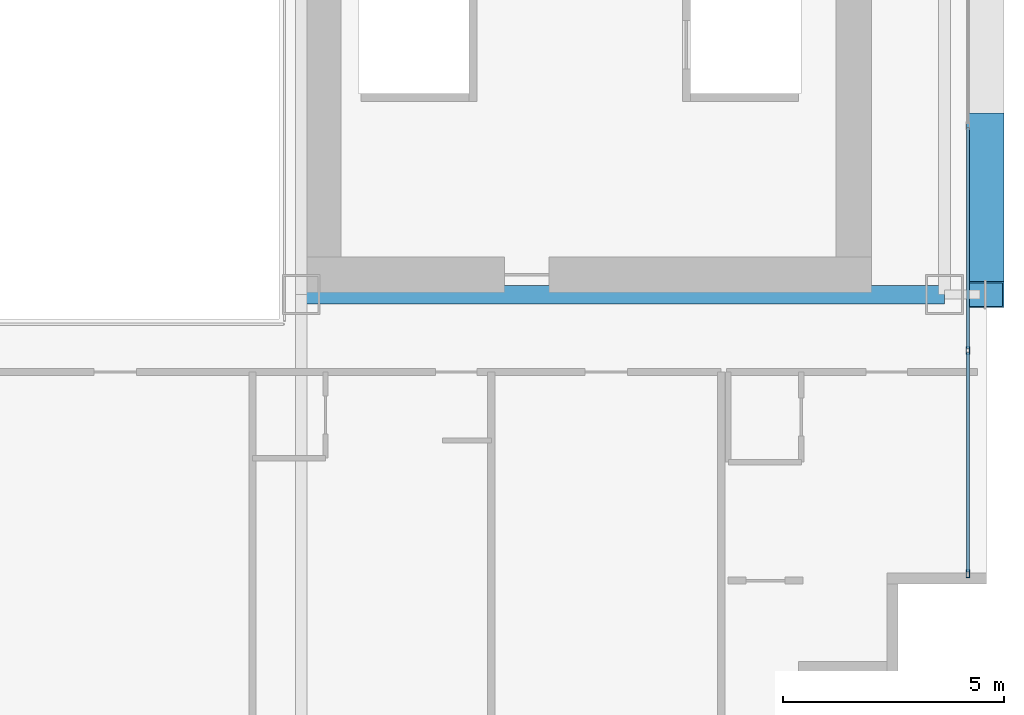
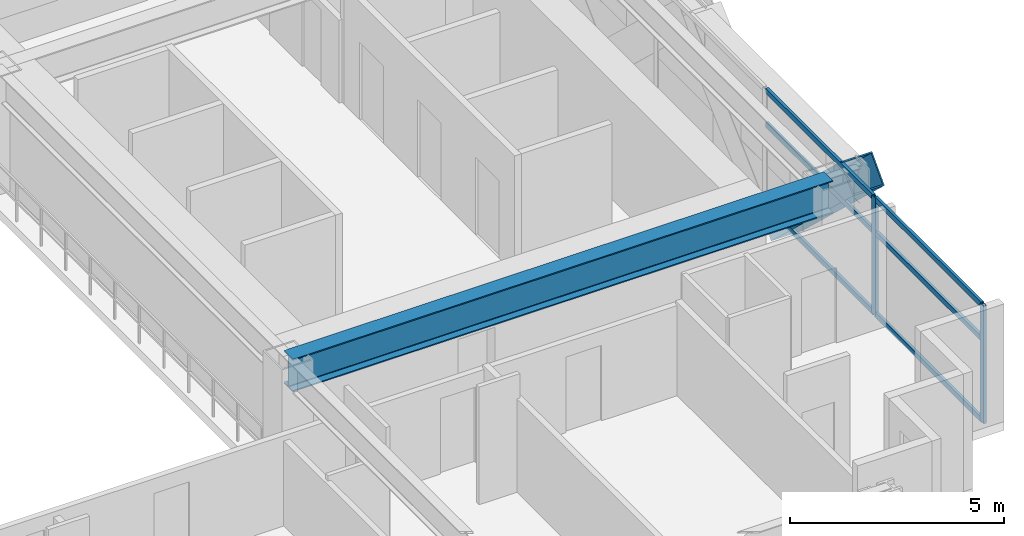
# One storey, part 11 of 38: 9 members, 1 beam, 1 element without a shape of its own.
"""IFC4 building model written with IfcOpenShell, lengths in metres."""

import ifcopenshell
import ifcopenshell.guid

model = None  # the IFC model being written
_history = None  # IfcOwnerHistory: only IFC2X3 demands one
_inside = {}  # id of a spatial element -> (the spatial element, [elements in it])
_under = {}  # id of a project, library or spatial element -> (it, [spatial elements below it])
_declared = {}  # id of a project -> (the project, [libraries it declares])
_typed = {}  # id of a type object -> (the type object, [elements of that type])
_made_of = {}  # id of a material, layer set ... -> (it, [elements and type objects made of it])


def new_model(schema):
    """Start an empty IFC model of exactly this schema.

    Asked for "IFC4X3", IfcOpenShell would pick the latest addendum, in which some entities
    have other attributes; the version numbers below select the first issue.
    IFC2X3 requires an IfcOwnerHistory on every rooted entity: one is made here for all.
    """
    global model, _history
    if schema == "IFC4X3":
        model = ifcopenshell.file(schema_version=(4, 3, 0, 0))
    else:
        model = ifcopenshell.file(schema=schema)
    _inside.clear()
    _under.clear()
    _declared.clear()
    _typed.clear()
    _made_of.clear()
    _history = None
    if model.schema == "IFC2X3":
        org = make("IfcOrganization", Name="unknown")
        user = make(
            "IfcPersonAndOrganization",
            ThePerson=make("IfcPerson", FamilyName="unknown"),
            TheOrganization=org,
        )
        app = make(
            "IfcApplication",
            ApplicationDeveloper=org,
            Version="unknown",
            ApplicationFullName="unknown",
            ApplicationIdentifier="unknown",
        )
        _history = make(
            "IfcOwnerHistory",
            OwningUser=user,
            OwningApplication=app,
            ChangeAction="ADDED",
            CreationDate=0,
        )
    return model


def make(cls, **values):
    """One entity of the class cls with the attributes given. An attribute that is None is left unset."""
    return model.create_entity(
        cls, **{name: value for name, value in values.items() if value is not None}
    )


def rooted(cls, **values):
    """An entity with a GlobalId (a new one), such as an element, a storey or a relation."""
    return make(cls, GlobalId=ifcopenshell.guid.new(), OwnerHistory=_history, **values)


def si_unit(unit_type, name, prefix=None):
    """IfcSIUnit, for example si_unit("LENGTHUNIT", "METRE", prefix="MILLI")."""
    return make("IfcSIUnit", UnitType=unit_type, Prefix=prefix, Name=name)


def assignment(units):
    """IfcUnitAssignment: the units of a project."""
    return None if units is None else make("IfcUnitAssignment", Units=units)


def point(xyz):
    """IfcCartesianPoint."""
    return None if xyz is None else make("IfcCartesianPoint", Coordinates=xyz)


def direction(xyz):
    """IfcDirection."""
    return None if xyz is None else make("IfcDirection", DirectionRatios=xyz)


def frame(location, z_axis=None, x_axis=None):
    """IfcAxis2Placement3D, a coordinate frame: its origin and axes. An axis left out is left unset."""
    return make(
        "IfcAxis2Placement3D",
        Location=point(location),
        Axis=direction(z_axis),
        RefDirection=direction(x_axis),
    )


def frame_2d(location, x_axis=None):
    """IfcAxis2Placement2D, a coordinate frame in the plane: its origin and x axis."""
    return make(
        "IfcAxis2Placement2D", Location=point(location), RefDirection=direction(x_axis)
    )


def origin():
    """The frame at (0, 0, 0) with its axes left unset."""
    return frame((0.0, 0.0, 0.0))


def origin_2d():
    """The frame at (0, 0) in the plane with its x axis left unset."""
    return frame_2d((0.0, 0.0))


def place(relative_to, where):
    """IfcLocalPlacement: puts the frame where relative to a parent placement (None: the world)."""
    return make(
        "IfcLocalPlacement", PlacementRelTo=relative_to, RelativePlacement=where
    )


def context(
    kind, dimensions, precision=None, world=None, true_north=None, identifier=None
):
    """IfcGeometricRepresentationContext, for example the 3D "Model" context."""
    return make(
        "IfcGeometricRepresentationContext",
        ContextIdentifier=identifier,
        ContextType=kind,
        CoordinateSpaceDimension=dimensions,
        Precision=precision,
        WorldCoordinateSystem=world,
        TrueNorth=true_north,
    )


def subcontext(parent, identifier, kind, view, scale=None):
    """IfcGeometricRepresentationSubContext, for example "Body" below "Model"."""
    return make(
        "IfcGeometricRepresentationSubContext",
        ContextIdentifier=identifier,
        ContextType=kind,
        ParentContext=parent,
        TargetScale=scale,
        TargetView=view,
    )


def project(units=None, contexts=None):
    """IfcProject with its units and contexts."""
    return rooted(
        "IfcProject",
        Name="project",
        RepresentationContexts=contexts,
        UnitsInContext=assignment(units),
    )


def spatial(cls, under=None, at=None, **own):
    """A site, building, storey or space (cls), placed at a placement, below another one or the project."""
    s = rooted(cls, ObjectPlacement=at, **own)
    if under is not None:
        _under.setdefault(under.id(), (under, []))[1].append(s)
    return s


def profile(cls, at=None, kind="AREA", **sizes):
    """A parametric profile (cls). Its sizes go by their IFC names, for example OverallWidth=200.0."""
    return make(cls, ProfileType=kind, Position=at, **sizes)


def hollow_rectangle(**sizes):
    """IfcRectangleHollowProfileDef."""
    return profile("IfcRectangleHollowProfileDef", **sizes)


def i_section(**sizes):
    """IfcIShapeProfileDef."""
    return profile("IfcIShapeProfileDef", **sizes)


def extrude(swept, where, along, depth):
    """IfcExtrudedAreaSolid: the profile swept, set in the frame where, extruded along a direction by depth."""
    return make(
        "IfcExtrudedAreaSolid",
        SweptArea=swept,
        Position=where,
        ExtrudedDirection=direction(along),
        Depth=depth,
    )


def shape(context_of_items, identifier, shape_type, items):
    """IfcShapeRepresentation: the items that make up one representation, for example the "Body"."""
    return make(
        "IfcShapeRepresentation",
        ContextOfItems=context_of_items,
        RepresentationIdentifier=identifier,
        RepresentationType=shape_type,
        Items=items,
    )


def source(mapping_origin, context_of_items, identifier, shape_type, items):
    """IfcRepresentationMap: a shape defined once, which mapped items show again and again."""
    return make(
        "IfcRepresentationMap",
        MappingOrigin=mapping_origin,
        MappedRepresentation=shape(context_of_items, identifier, shape_type, items),
    )


def transform(
    local_origin,
    x_axis=None,
    y_axis=None,
    z_axis=None,
    scale=None,
    scale2=None,
    scale3=None,
    uniform=True,
):
    """IfcCartesianTransformationOperator3D, or its non-uniform kind. x_axis, y_axis, z_axis: its Axis1, 2, 3."""
    if uniform:
        return make(
            "IfcCartesianTransformationOperator3D",
            Axis1=direction(x_axis),
            Axis2=direction(y_axis),
            LocalOrigin=point(local_origin),
            Scale=scale,
            Axis3=direction(z_axis),
        )
    return make(
        "IfcCartesianTransformationOperator3DnonUniform",
        Axis1=direction(x_axis),
        Axis2=direction(y_axis),
        LocalOrigin=point(local_origin),
        Scale=scale,
        Axis3=direction(z_axis),
        Scale2=scale2,
        Scale3=scale3,
    )


def mapped(mapping_source, mapping_target):
    """IfcMappedItem: shows the shape of a source again, moved by a transform."""
    return make(
        "IfcMappedItem", MappingSource=mapping_source, MappingTarget=mapping_target
    )


def material(Name=None, Category=None):
    """IfcMaterial."""
    return make("IfcMaterial", Name=Name, Category=Category)


def layer(
    of_material, thickness, ventilated=None, Name=None, Category=None, Priority=None
):
    """IfcMaterialLayer: one layer of a wall or slab, of a material (None: an air gap)."""
    return make(
        "IfcMaterialLayer",
        Material=of_material,
        LayerThickness=thickness,
        IsVentilated=ventilated,
        Name=Name,
        Category=Category,
        Priority=Priority,
    )


def layer_set(layers, Name=None):
    """IfcMaterialLayerSet."""
    return make("IfcMaterialLayerSet", MaterialLayers=layers, LayerSetName=Name)


def material_profile(
    of_material, cross_section, Name=None, Category=None, Priority=None
):
    """IfcMaterialProfile: a cross section and its material."""
    return make(
        "IfcMaterialProfile",
        Name=Name,
        Material=of_material,
        Profile=cross_section,
        Priority=Priority,
        Category=Category,
    )


def profile_set(profiles, Name=None, composite=None):
    """IfcMaterialProfileSet."""
    return make(
        "IfcMaterialProfileSet",
        Name=Name,
        MaterialProfiles=profiles,
        CompositeProfile=composite,
    )


def made_of(thing, what):
    """Note that an element or type object is made of a material, layer set ...; save() writes the relation."""
    if what is not None:
        _made_of.setdefault(what.id(), (what, []))[1].append(thing)
    return thing


def type_object(cls, material=None, **own):
    """A type object (cls), such as IfcWallType, which elements share."""
    return made_of(rooted(cls, **own), material)


def element(
    cls,
    number,
    at=None,
    inside=None,
    cuts=None,
    type_object=None,
    material=None,
    context=None,
    identifier="Body",
    shape_type=None,
    held_by="IfcProductDefinitionShape",
    body=None,
    shapes=None,
    **own,
):
    """One element of the class cls, such as IfcWall. Its Tag is "e" and its number.

    at: its placement. inside: the storey or other place that contains it. cuts: it is an
    opening in that element (IfcRelVoidsElement). A single representation is given by context,
    identifier, shape_type and body (its items); several are given by shapes. held_by: the class
    of the entity that holds the representations. save() writes the other relations.
    """
    e = rooted(cls, Tag="e%d" % number, ObjectPlacement=at, **own)
    if body is not None:
        shapes = [shape(context, identifier, shape_type, body)]
    if shapes is not None:
        e.Representation = make(held_by, Representations=shapes)
    if inside is not None:
        _inside.setdefault(inside.id(), (inside, []))[1].append(e)
    if cuts is not None:
        rooted(
            "IfcRelVoidsElement", RelatingBuildingElement=cuts, RelatedOpeningElement=e
        )
    if type_object is not None:
        _typed.setdefault(type_object.id(), (type_object, []))[1].append(e)
    return made_of(e, material)


def aggregate(whole, parts):
    """IfcRelAggregates: a whole, such as a stair, and the parts it consists of."""
    return rooted("IfcRelAggregates", RelatingObject=whole, RelatedObjects=parts)


def save(model, path):
    """Write the relations noted so far, then the file.

    IfcRelAggregates (storeys below a building ...), IfcRelContainedInSpatialStructure (elements
    in a storey), IfcRelDefinesByType, IfcRelAssociatesMaterial and IfcRelDeclares: one each for
    every whole, place, type object, material and project.
    """
    for whole, parts in _under.values():
        aggregate(whole, parts)
    for where, things in _inside.values():
        rooted(
            "IfcRelContainedInSpatialStructure",
            RelatedElements=things,
            RelatingStructure=where,
        )
    for kind, things in _typed.values():
        rooted("IfcRelDefinesByType", RelatedObjects=things, RelatingType=kind)
    for what, things in _made_of.values():
        rooted("IfcRelAssociatesMaterial", RelatedObjects=things, RelatingMaterial=what)
    for by, libraries in _declared.values():
        rooted("IfcRelDeclares", RelatingContext=by, RelatedDefinitions=libraries)
    model.write(path)


model = new_model("IFC4")

# Units and contexts
model_context = context("Model", 3, precision=1e-05, world=origin(), true_north=direction((0.0, 1.0)))
body_context = subcontext(model_context, "Body", "Model", "MODEL_VIEW")
ifc_project = project(units=[si_unit("LENGTHUNIT", "METRE"), si_unit("AREAUNIT", "SQUARE_METRE"), si_unit("VOLUMEUNIT", "CUBIC_METRE"), si_unit("PLANEANGLEUNIT", "RADIAN"), si_unit("MASSUNIT", "GRAM", prefix="KILO")], contexts=[model_context])

# Site, building, storey
site_placement = place(None, origin())
site = spatial("IfcSite", under=ifc_project, at=site_placement, CompositionType="ELEMENT")
building_placement = place(site_placement, origin())
building = spatial("IfcBuilding", under=site, at=building_placement, Name="Ocotamira Hotel", CompositionType="ELEMENT")
storey_placement = place(building_placement, frame((0.0, 0.0, 45.60009765625)))
storey = spatial("IfcBuildingStorey", under=building, at=storey_placement, Name="L10", CompositionType="ELEMENT", Elevation=45.60009765625)

# Beam
ifc_material_1 = material(Name="Steel ASTM A992 Grade 50", Category="steel")
ifc_material_profile_1 = material_profile(ifc_material_1, i_section(OverallWidth=0.41796875, OverallDepth=0.927001953125, WebThickness=0.019287109375, FlangeThickness=0.031982421875, FilletRadius=0.02392578125, at=origin_2d()), Name="W36X231")
ifc_profile_set_1 = profile_set([ifc_material_profile_1], Name="Steel ASTM A992 Grade 50")
beam_type = type_object("IfcBeamType", Name="BM-GIRD-W36X231", PredefinedType="BEAM", material=ifc_profile_set_1)
shared_shape_1 = source(origin(), body_context, "Body", "SweptSolid", [
    extrude(i_section(OverallWidth=0.41796875, OverallDepth=0.927001953125, WebThickness=0.019287109375, FlangeThickness=0.031982421875, FilletRadius=0.02392578125, at=origin_2d()), origin(), (0.0, 0.0, 1.0), 14.550048828125),
])
beam_placement = place(storey_placement, frame((40.5, 14.550048828125, 2.886474609375), z_axis=(1.0, 0.0, 0.0), x_axis=(0.0, 1.0, 0.0)))
element("IfcBeam", 1, at=beam_placement, inside=storey, type_object=beam_type, Name="L10 Girder Y14.55 X40.5-55.05", PredefinedType="BEAM", context=body_context, shape_type="MappedRepresentation", body=[
    mapped(shared_shape_1, transform((0.0, 0.0, 0.0), scale=1.0)),
])

# Member
ifc_material_2 = material(Name="Pale-metal coated steel ASTM A913 Grade 65", Category="steel")
ifc_material_profile_2 = material_profile(ifc_material_2, hollow_rectangle(XDim=0.85009765625, YDim=0.85009765625, WallThickness=0.035888671875, at=origin_2d()), Name="BOX850X850X36")
ifc_profile_set_2 = profile_set([ifc_material_profile_2], Name="Pale-metal coated steel ASTM A913 Grade 65")
member_type_1 = type_object("IfcMemberType", Name="MEM-EXO-BOX850", PredefinedType="BRACE", material=ifc_profile_set_2)
shared_shape_2 = source(origin(), body_context, "Body", "SweptSolid", [
    extrude(hollow_rectangle(XDim=0.85009765625, YDim=0.85009765625, WallThickness=0.035888671875, at=origin_2d()), origin(), (0.0, 0.0, 1.0), 5.24658203125),
])
member_1_placement = place(storey_placement, frame((55.969970703125, 18.36669921875, -0.5), z_axis=(0.0, -0.72746596067, 0.686143772154), x_axis=(1.0, 0.0, 0.0)))
element("IfcMember", 2, at=member_1_placement, inside=storey, type_object=member_type_1, Name="L10 Exoskeleton Diagrid E0.1", PredefinedType="BRACE", context=body_context, shape_type="MappedRepresentation", body=[
    mapped(shared_shape_2, transform((0.0, 0.0, 0.0), scale=1.0)),
])

# Curtain wall, members
ifc_material_3 = material(Name="Anodised pale-metal aluminium and solar glass", Category="aluminium")
ifc_layer = layer(ifc_material_3, 0.179931640625)
ifc_layer_set = layer_set([ifc_layer], Name="Anodised pale-metal aluminium and solar glass")
curtain_wall_type = type_object("IfcCurtainWallType", Name="CW-SYS2-Z1", PredefinedType="NOTDEFINED", material=ifc_layer_set)
curtain_wall_placement = place(storey_placement, origin())
curtain_wall = element("IfcCurtainWall", 3, at=curtain_wall_placement, inside=storey, type_object=curtain_wall_type, Name="L10 Curtain Wall CW-2 CW-L10-E", PredefinedType="NOTDEFINED")
ifc_material_4 = material(Name="Anodised pale-metal aluminium 6063-T6", Category="aluminium")
ifc_material_profile_3 = material_profile(ifc_material_4, hollow_rectangle(XDim=0.080078125, YDim=0.179931640625, WallThickness=0.006103515625, at=origin_2d()), Name="HSS180X80X6")
ifc_profile_set_3 = profile_set([ifc_material_profile_3], Name="Anodised pale-metal aluminium 6063-T6")
member_type_2 = type_object("IfcMemberType", Name="CWM-180X75", PredefinedType="MULLION", material=ifc_profile_set_3)
shared_shape_3 = source(origin(), body_context, "Body", "SweptSolid", [
    extrude(hollow_rectangle(XDim=0.080078125, YDim=0.179931640625, WallThickness=0.006103515625, at=origin_2d()), origin(), (0.0, 0.0, 1.0), 3.349853515625),
])
member_2_placement = place(storey_placement, frame((55.580078125, 8.239990234375, 0.0), z_axis=(0.0, 0.0, 1.0), x_axis=(-1.0, 0.0, 0.0)))
member_2 = element("IfcMember", 4, at=member_2_placement, type_object=member_type_2, Name="CW-2 mullion 1", PredefinedType="MULLION", context=body_context, shape_type="MappedRepresentation", body=[
    mapped(shared_shape_3, transform((0.0, 0.0, 0.0), scale=1.0)),
])
member_3_placement = place(storey_placement, frame((55.580078125, 13.28564453125, 0.0), z_axis=(0.0, 0.0, 1.0), x_axis=(-1.0, 0.0, 0.0)))
member_3 = element("IfcMember", 5, at=member_3_placement, type_object=member_type_2, Name="CW-2 mullion 2", PredefinedType="MULLION", context=body_context, shape_type="MappedRepresentation", body=[
    mapped(shared_shape_3, transform((0.0, 0.0, 0.0), scale=1.0)),
])
ifc_material_profile_4 = material_profile(ifc_material_4, hollow_rectangle(XDim=0.074951171875, YDim=0.14990234375, WallThickness=0.006103515625, at=origin_2d()), Name="HSS150X75X6")
ifc_profile_set_4 = profile_set([ifc_material_profile_4], Name="Anodised pale-metal aluminium 6063-T6")
member_type_3 = type_object("IfcMemberType", Name="CWT-150X75", PredefinedType="USERDEFINED", material=ifc_profile_set_4)
shared_shape_4 = source(origin(), body_context, "Body", "SweptSolid", [
    extrude(hollow_rectangle(XDim=0.074951171875, YDim=0.14990234375, WallThickness=0.006103515625, at=origin_2d()), origin(), (0.0, 0.0, 1.0), 4.965576171875),
])
member_4_placement = place(storey_placement, frame((55.580078125, 8.280029296875, 0.037353515625), z_axis=(0.0, 1.0, 0.0), x_axis=(-1.0, 0.0, 0.0)))
member_4 = element("IfcMember", 6, at=member_4_placement, type_object=member_type_3, Name="CW-2 transom 1.1", ObjectType="TRANSOM", PredefinedType="USERDEFINED", context=body_context, shape_type="MappedRepresentation", body=[
    mapped(shared_shape_4, transform((0.0, 0.0, 0.0), scale=1.0)),
])
member_5_placement = place(storey_placement, frame((55.580078125, 8.280029296875, 2.349853515625), z_axis=(0.0, 1.0, 0.0), x_axis=(-1.0, 0.0, 0.0)))
member_5 = element("IfcMember", 7, at=member_5_placement, type_object=member_type_3, Name="CW-2 transom 1.2", ObjectType="TRANSOM", PredefinedType="USERDEFINED", context=body_context, shape_type="MappedRepresentation", body=[
    mapped(shared_shape_4, transform((0.0, 0.0, 0.0), scale=1.0)),
])
member_6_placement = place(storey_placement, frame((55.580078125, 8.280029296875, 3.3125), z_axis=(0.0, 1.0, 0.0), x_axis=(-1.0, 0.0, 0.0)))
member_6 = element("IfcMember", 8, at=member_6_placement, type_object=member_type_3, Name="CW-2 transom 1.3", ObjectType="TRANSOM", PredefinedType="USERDEFINED", context=body_context, shape_type="MappedRepresentation", body=[
    mapped(shared_shape_4, transform((0.0, 0.0, 0.0), scale=1.0)),
])
shared_shape_5 = source(origin(), body_context, "Body", "SweptSolid", [
    extrude(hollow_rectangle(XDim=0.074951171875, YDim=0.14990234375, WallThickness=0.006103515625, at=origin_2d()), origin(), (0.0, 0.0, 1.0), 5.005859375),
])
member_7_placement = place(storey_placement, frame((55.580078125, 13.32568359375, 0.037353515625), z_axis=(0.0, 1.0, 0.0), x_axis=(-1.0, 0.0, 0.0)))
member_7 = element("IfcMember", 9, at=member_7_placement, type_object=member_type_3, Name="CW-2 transom 2.1", ObjectType="TRANSOM", PredefinedType="USERDEFINED", context=body_context, shape_type="MappedRepresentation", body=[
    mapped(shared_shape_5, transform((0.0, 0.0, 0.0), scale=1.0)),
])
member_8_placement = place(storey_placement, frame((55.580078125, 13.32568359375, 2.349853515625), z_axis=(0.0, 1.0, 0.0), x_axis=(-1.0, 0.0, 0.0)))
member_8 = element("IfcMember", 10, at=member_8_placement, type_object=member_type_3, Name="CW-2 transom 2.2", ObjectType="TRANSOM", PredefinedType="USERDEFINED", context=body_context, shape_type="MappedRepresentation", body=[
    mapped(shared_shape_5, transform((0.0, 0.0, 0.0), scale=1.0)),
])
member_9_placement = place(storey_placement, frame((55.580078125, 13.32568359375, 3.3125), z_axis=(0.0, 1.0, 0.0), x_axis=(-1.0, 0.0, 0.0)))
member_9 = element("IfcMember", 11, at=member_9_placement, type_object=member_type_3, Name="CW-2 transom 2.3", ObjectType="TRANSOM", PredefinedType="USERDEFINED", context=body_context, shape_type="MappedRepresentation", body=[
    mapped(shared_shape_5, transform((0.0, 0.0, 0.0), scale=1.0)),
])
aggregate(curtain_wall, [member_2, member_3, member_4, member_5, member_6, member_7, member_8, member_9])

save(model, "model.ifc")
